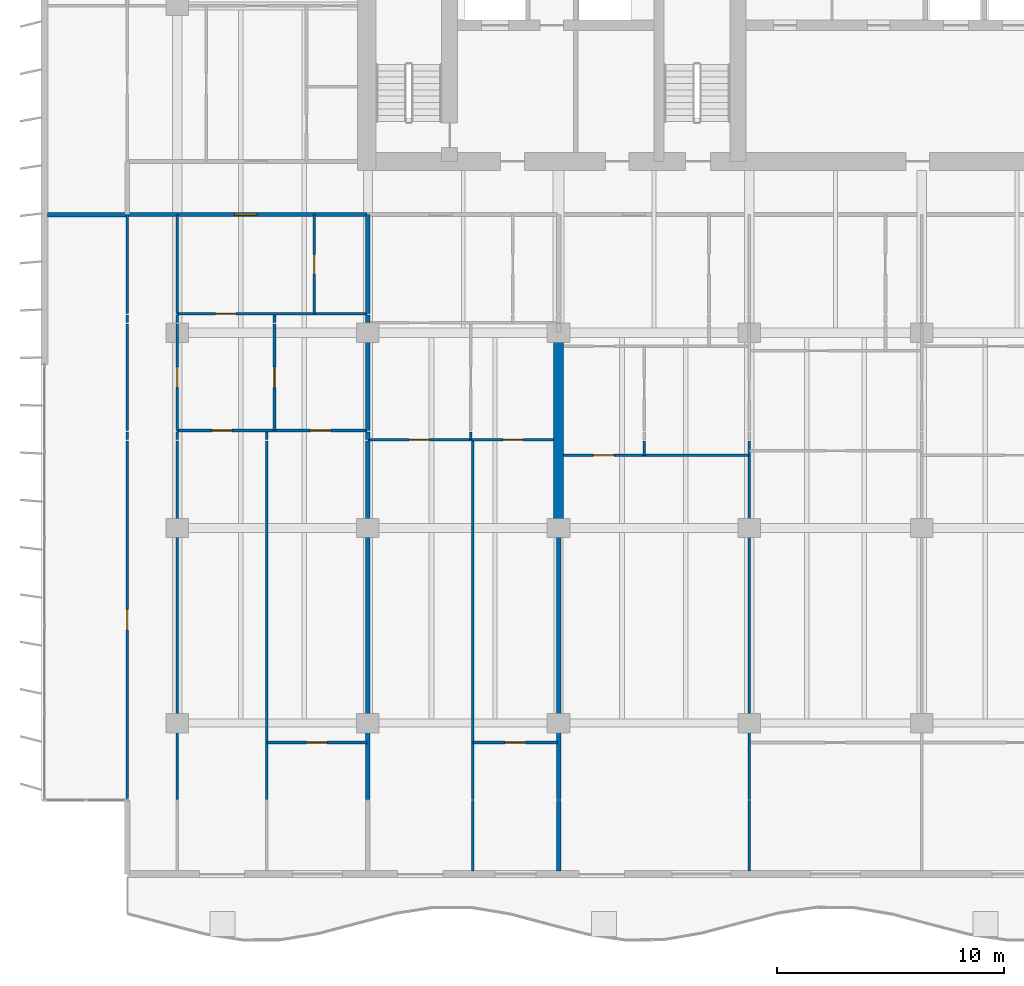
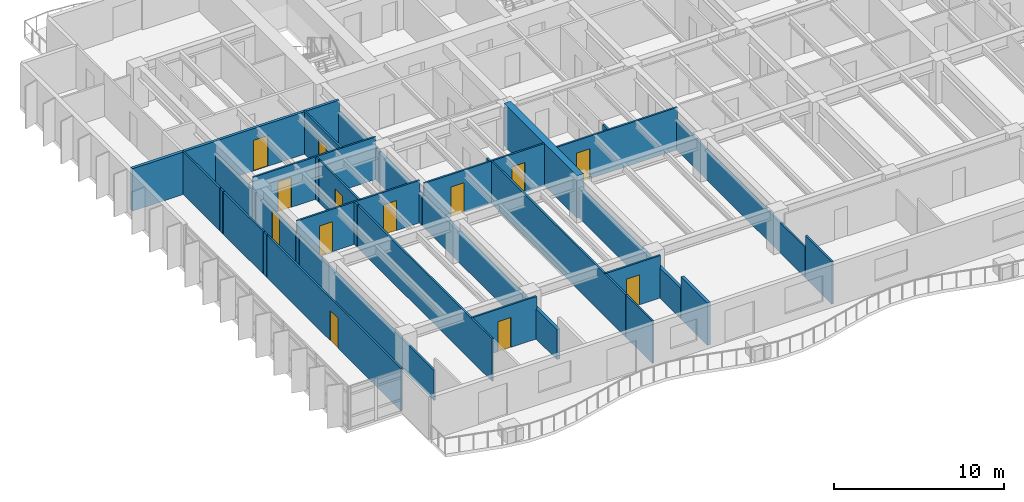
# One storey, part 6 of 17: 37 walls, 13 doors, 13 openings.
"""IFC4 building model written with IfcOpenShell, lengths in metres."""

from ifc_helpers import new_model, si_unit, direction, frame, frame_2d, origin, place, context, subcontext, project, spatial, rectangle, extrude, material, layer, layer_set, type_object, element, fill, save


model = new_model("IFC4")

# Units and contexts
model_context = context("Model", 3, precision=1e-05, world=origin(), true_north=direction((0.0, 1.0)))
body_context = subcontext(model_context, "Body", "Model", "MODEL_VIEW")
ifc_project = project(units=[si_unit("LENGTHUNIT", "METRE"), si_unit("AREAUNIT", "SQUARE_METRE"), si_unit("VOLUMEUNIT", "CUBIC_METRE"), si_unit("PLANEANGLEUNIT", "RADIAN"), si_unit("MASSUNIT", "GRAM", prefix="KILO")], contexts=[model_context])

# Site, building, storey
site_placement = place(None, origin())
site = spatial("IfcSite", under=ifc_project, at=site_placement, CompositionType="ELEMENT")
building_placement = place(site_placement, origin())
building = spatial("IfcBuilding", under=site, at=building_placement, Name="Caelmar Bay Residences", CompositionType="ELEMENT")
storey_placement = place(building_placement, frame((0.0, 0.0, 105.89990234375)))
storey = spatial("IfcBuildingStorey", under=building, at=storey_placement, Name="L28", CompositionType="ELEMENT", Elevation=105.89990234375)

# Wall
ifc_material_1 = material(Name="Concrete f'c 55 MPa (8,000 psi)", Category="concrete")
ifc_layer_1 = layer(ifc_material_1, 0.449951171875)
ifc_layer_set_1 = layer_set([ifc_layer_1], Name="Concrete f'c 55 MPa (8,000 psi)")
wall_type_1 = type_object("IfcWallType", Name="SW-XSLB-450", PredefinedType="SHEAR", material=ifc_layer_set_1)
wall_1_placement = place(storey_placement, frame((26.699951171875, 20.800048828125, 0.0), z_axis=(0.0, 0.0, 1.0), x_axis=(0.0, 1.0, 0.0)))
element("IfcWall", 1, at=wall_1_placement, inside=storey, type_object=wall_type_1, Name="L28 Transverse Cross-Slab Shear Wall W5", PredefinedType="SHEAR", context=body_context, shape_type="SweptSolid", body=[
    extrude(rectangle(XDim=8.599853515625, YDim=0.449951171875, at=frame_2d((4.2998046875, 0.0))), origin(), (0.0, 0.0, 1.0), 3.050048828125),
])

# Wall, opening, door
ifc_material_2 = material(Name="Double-stud acoustic fire-rated gypsum partition 180 mm")
ifc_layer_2 = layer(ifc_material_2, 0.179931640625)
ifc_layer_set_2 = layer_set([ifc_layer_2], Name="Double-stud acoustic fire-rated gypsum partition 180 mm")
wall_type_2 = type_object("IfcWallType", Name="W-COR-200", PredefinedType="PARTITIONING", material=ifc_layer_set_2)
wall_2_placement = place(storey_placement, frame((7.705078125, 34.60009765625, 0.0), z_axis=(0.0, 0.0, 1.0), x_axis=(1.0, 0.0, 0.0)))
wall_2 = element("IfcWall", 2, at=wall_2_placement, inside=storey, type_object=wall_type_2, Name="L28 Partition Wall H140", PredefinedType="PARTITIONING", context=body_context, shape_type="SweptSolid", body=[
    extrude(rectangle(XDim=10.544921875, YDim=0.179931640625, at=frame_2d((5.2724609375, 0.0))), origin(), (0.0, 0.0, 1.0), 3.050048828125),
])
opening_1_placement = place(wall_2_placement, frame((4.714111328125, 0.0, 0.0)))
opening_1 = element("IfcOpeningElement", 3, at=opening_1_placement, cuts=wall_2, Name="Opening D-L28-124", PredefinedType="OPENING", context=body_context, shape_type="SweptSolid", body=[
    extrude(rectangle(XDim=1.0, YDim=2.199951171875, at=frame_2d((0.5, 1.10009765625))), frame((0.0, 0.099853515625, 0.0), z_axis=(0.0, -1.0, 0.0), x_axis=(1.0, 0.0, 0.0)), (0.0, 0.0, 1.0), 0.199951171875),
])
ifc_material_3 = material(Name="Fire-rated steel and walnut architectural door assembly", Category="steel")
ifc_layer_3 = layer(ifc_material_3, 0.050048828125)
ifc_layer_set_3 = layer_set([ifc_layer_3], Name="Fire-rated steel and walnut architectural door assembly")
door_type_1 = type_object("IfcDoorType", Name="D-UNIT-1000", OperationType="NOTDEFINED", PredefinedType="DOOR", material=ifc_layer_set_3)
door_1_placement = place(opening_1_placement, origin())
door_1 = element("IfcDoor", 4, at=door_1_placement, inside=storey, type_object=door_type_1, Name="L28 Residence 01 Apartment Hall Door", OperationType="SINGLE_SWING_RIGHT", OverallHeight=2.199951171875, OverallWidth=1.0, PredefinedType="DOOR", context=body_context, shape_type="SweptSolid", body=[
    extrude(rectangle(XDim=1.0, YDim=2.199951171875, at=frame_2d((0.5, 1.10009765625))), frame((0.0, 0.02490234375, 0.0), z_axis=(0.0, -1.0, 0.0), x_axis=(1.0, 0.0, 0.0)), (0.0, 0.0, 1.0), 0.050048828125),
])
fill(opening_1, door_1)

ifc_material_4 = material(Name="Acoustic metal-stud gypsum partition 120 mm")
ifc_layer_4 = layer(ifc_material_4, 0.1201171875)
ifc_layer_set_4 = layer_set([ifc_layer_4], Name="Acoustic metal-stud gypsum partition 120 mm")
wall_type_3 = type_object("IfcWallType", Name="W-PRT-120", PredefinedType="PARTITIONING", material=ifc_layer_set_4)
wall_3_placement = place(storey_placement, frame((7.699951171875, 8.885009765625, 0.0), z_axis=(0.0, 0.0, 1.0), x_axis=(0.0, 1.0, 0.0)))
wall_3 = element("IfcWall", 5, at=wall_3_placement, inside=storey, type_object=wall_type_3, Name="L28 Partition Wall V001", PredefinedType="PARTITIONING", context=body_context, shape_type="SweptSolid", body=[
    extrude(rectangle(XDim=15.744873046875, YDim=0.1201171875, at=frame_2d((7.87255859375, 0.0))), origin(), (0.0, 0.0, 1.0), 3.050048828125),
])
opening_2_placement = place(wall_3_placement, frame((7.422607421875, 0.0, 0.0)))
opening_2 = element("IfcOpeningElement", 6, at=opening_2_placement, cuts=wall_3, Name="Opening D-L28-169", PredefinedType="OPENING", context=body_context, shape_type="SweptSolid", body=[
    extrude(rectangle(XDim=0.89990234375, YDim=2.14990234375, at=frame_2d((0.449951171875, 1.074951171875))), frame((0.0, 0.070068359375, 0.0), z_axis=(0.0, -1.0, 0.0), x_axis=(1.0, 0.0, 0.0)), (0.0, 0.0, 1.0), 0.14013671875),
])
ifc_material_5 = material(Name="Solid walnut timber interior door leaf and frame", Category="wood")
ifc_layer_5 = layer(ifc_material_5, 0.050048828125)
ifc_layer_set_5 = layer_set([ifc_layer_5], Name="Solid walnut timber interior door leaf and frame")
door_type_2 = type_object("IfcDoorType", Name="D-ROOM-900", OperationType="NOTDEFINED", PredefinedType="DOOR", material=ifc_layer_set_5)
door_2_placement = place(opening_2_placement, origin())
door_2 = element("IfcDoor", 7, at=door_2_placement, inside=storey, type_object=door_type_2, Name="L28 Residence 01 Penthouse West Salon Door", OperationType="SINGLE_SWING_LEFT", OverallHeight=2.14990234375, OverallWidth=0.89990234375, PredefinedType="DOOR", context=body_context, shape_type="SweptSolid", body=[
    extrude(rectangle(XDim=0.89990234375, YDim=2.14990234375, at=frame_2d((0.449951171875, 1.074951171875))), frame((0.0, 0.02490234375, 0.0), z_axis=(0.0, -1.0, 0.0), x_axis=(1.0, 0.0, 0.0)), (0.0, 0.0, 1.0), 0.050048828125),
])
fill(opening_2, door_2)

# Walls
wall_4_placement = place(storey_placement, frame((7.699951171875, 24.68994140625, 0.0), z_axis=(0.0, 0.0, 1.0), x_axis=(0.0, 1.0, 0.0)))
element("IfcWall", 8, at=wall_4_placement, inside=storey, type_object=wall_type_3, Name="L28 Partition Wall V002", PredefinedType="PARTITIONING", context=body_context, shape_type="SweptSolid", body=[
    extrude(rectangle(XDim=0.340087890625, YDim=0.1201171875, at=frame_2d((0.169921875, 0.0))), origin(), (0.0, 0.0, 1.0), 3.050048828125),
])
wall_5_placement = place(storey_placement, frame((7.699951171875, 25.090087890625, 0.0), z_axis=(0.0, 0.0, 1.0), x_axis=(0.0, 1.0, 0.0)))
element("IfcWall", 9, at=wall_5_placement, inside=storey, type_object=wall_type_3, Name="L28 Partition Wall V003", PredefinedType="PARTITIONING", context=body_context, shape_type="SweptSolid", body=[
    extrude(rectangle(XDim=4.68994140625, YDim=0.1201171875, at=frame_2d((2.344970703125, 0.0))), origin(), (0.0, 0.0, 1.0), 3.050048828125),
])
wall_6_placement = place(storey_placement, frame((7.699951171875, 29.840087890625, 0.0), z_axis=(0.0, 0.0, 1.0), x_axis=(0.0, 1.0, 0.0)))
element("IfcWall", 10, at=wall_6_placement, inside=storey, type_object=wall_type_3, Name="L28 Partition Wall V004", PredefinedType="PARTITIONING", context=body_context, shape_type="SweptSolid", body=[
    extrude(rectangle(XDim=0.33984375, YDim=0.1201171875, at=frame_2d((0.169921875, 0.0))), origin(), (0.0, 0.0, 1.0), 3.050048828125),
])
wall_7_placement = place(storey_placement, frame((7.699951171875, 30.239990234375, 0.0), z_axis=(0.0, 0.0, 1.0), x_axis=(0.0, 1.0, 0.0)))
element("IfcWall", 11, at=wall_7_placement, inside=storey, type_object=wall_type_3, Name="L28 Partition Wall V005", PredefinedType="PARTITIONING", context=body_context, shape_type="SweptSolid", body=[
    extrude(rectangle(XDim=4.360107421875, YDim=0.1201171875, at=frame_2d((2.18017578125, 0.0))), origin(), (0.0, 0.0, 1.0), 3.050048828125),
])
wall_8_placement = place(storey_placement, frame((9.89990234375, 8.840087890625, 0.0), z_axis=(0.0, 0.0, 1.0), x_axis=(0.0, 1.0, 0.0)))
element("IfcWall", 12, at=wall_8_placement, inside=storey, type_object=wall_type_3, Name="L28 Partition Wall V010", PredefinedType="PARTITIONING", context=body_context, shape_type="SweptSolid", body=[
    extrude(rectangle(XDim=15.789794921875, YDim=0.1201171875, at=frame_2d((7.89501953125, 0.0))), origin(), (0.0, 0.0, 1.0), 2.174072265625),
])
wall_9_placement = place(storey_placement, frame((9.89990234375, 24.68994140625, 0.0), z_axis=(0.0, 0.0, 1.0), x_axis=(0.0, 1.0, 0.0)))
element("IfcWall", 13, at=wall_9_placement, inside=storey, type_object=wall_type_3, Name="L28 Partition Wall V011", PredefinedType="PARTITIONING", context=body_context, shape_type="SweptSolid", body=[
    extrude(rectangle(XDim=0.340087890625, YDim=0.1201171875, at=frame_2d((0.169921875, 0.0))), origin(), (0.0, 0.0, 1.0), 2.174072265625),
])

# Wall, opening, door
wall_10_placement = place(storey_placement, frame((9.89990234375, 25.090087890625, 0.0), z_axis=(0.0, 0.0, 1.0), x_axis=(0.0, 1.0, 0.0)))
wall_10 = element("IfcWall", 14, at=wall_10_placement, inside=storey, type_object=wall_type_3, Name="L28 Partition Wall V012", PredefinedType="PARTITIONING", context=body_context, shape_type="SweptSolid", body=[
    extrude(rectangle(XDim=4.68994140625, YDim=0.1201171875, at=frame_2d((2.344970703125, 0.0))), origin(), (0.0, 0.0, 1.0), 2.174072265625),
])
opening_3_placement = place(wall_10_placement, frame((1.89501953125, 0.0, 0.0)))
opening_3 = element("IfcOpeningElement", 15, at=opening_3_placement, cuts=wall_10, Name="Opening D-L28-131", PredefinedType="OPENING", context=body_context, shape_type="SweptSolid", body=[
    extrude(rectangle(XDim=0.89990234375, YDim=2.1240234375, at=frame_2d((0.449951171875, 1.06201171875))), frame((0.0, 0.070068359375, 0.0), z_axis=(0.0, -1.0, 0.0), x_axis=(1.0, 0.0, 0.0)), (0.0, 0.0, 1.0), 0.14013671875),
])
door_3_placement = place(opening_3_placement, origin())
door_3 = element("IfcDoor", 16, at=door_3_placement, inside=storey, type_object=door_type_2, Name="L28 Residence 01 West Apartment Hall Door", OperationType="SINGLE_SWING_LEFT", OverallHeight=2.1240234375, OverallWidth=0.89990234375, PredefinedType="DOOR", context=body_context, shape_type="SweptSolid", body=[
    extrude(rectangle(XDim=0.89990234375, YDim=2.1240234375, at=frame_2d((0.449951171875, 1.06201171875))), frame((0.0, 0.02490234375, 0.0), z_axis=(0.0, -1.0, 0.0), x_axis=(1.0, 0.0, 0.0)), (0.0, 0.0, 1.0), 0.050048828125),
])
fill(opening_3, door_3)

# Walls
wall_11_placement = place(storey_placement, frame((9.89990234375, 29.840087890625, 0.0), z_axis=(0.0, 0.0, 1.0), x_axis=(0.0, 1.0, 0.0)))
element("IfcWall", 17, at=wall_11_placement, inside=storey, type_object=wall_type_3, Name="L28 Partition Wall V013", PredefinedType="PARTITIONING", context=body_context, shape_type="SweptSolid", body=[
    extrude(rectangle(XDim=0.33984375, YDim=0.1201171875, at=frame_2d((0.169921875, 0.0))), origin(), (0.0, 0.0, 1.0), 2.174072265625),
])
wall_12_placement = place(storey_placement, frame((9.89990234375, 30.239990234375, 0.0), z_axis=(0.0, 0.0, 1.0), x_axis=(0.0, 1.0, 0.0)))
element("IfcWall", 18, at=wall_12_placement, inside=storey, type_object=wall_type_3, Name="L28 Partition Wall V014", PredefinedType="PARTITIONING", context=body_context, shape_type="SweptSolid", body=[
    extrude(rectangle(XDim=4.360107421875, YDim=0.1201171875, at=frame_2d((2.18017578125, 0.0))), origin(), (0.0, 0.0, 1.0), 2.174072265625),
])
wall_13_placement = place(storey_placement, frame((13.847900390625, 8.840087890625, 0.0), z_axis=(0.0, 0.0, 1.0), x_axis=(0.0, 1.0, 0.0)))
element("IfcWall", 19, at=wall_13_placement, inside=storey, type_object=wall_type_3, Name="L28 Partition Wall V017", PredefinedType="PARTITIONING", context=body_context, shape_type="SweptSolid", body=[
    extrude(rectangle(XDim=15.789794921875, YDim=0.1201171875, at=frame_2d((7.89501953125, 0.0))), origin(), (0.0, 0.0, 1.0), 3.050048828125),
])
wall_14_placement = place(storey_placement, frame((13.847900390625, 24.68994140625, 0.0), z_axis=(0.0, 0.0, 1.0), x_axis=(0.0, 1.0, 0.0)))
element("IfcWall", 20, at=wall_14_placement, inside=storey, type_object=wall_type_3, Name="L28 Partition Wall V018", PredefinedType="PARTITIONING", context=body_context, shape_type="SweptSolid", body=[
    extrude(rectangle(XDim=0.340087890625, YDim=0.1201171875, at=frame_2d((0.169921875, 0.0))), origin(), (0.0, 0.0, 1.0), 3.050048828125),
])

# Wall, opening, door
wall_15_placement = place(storey_placement, frame((14.18603515625, 25.090087890625, 0.0), z_axis=(0.0, 0.0, 1.0), x_axis=(0.0, 1.0, 0.0)))
wall_15 = element("IfcWall", 21, at=wall_15_placement, inside=storey, type_object=wall_type_3, Name="L28 Partition Wall V019", PredefinedType="PARTITIONING", context=body_context, shape_type="SweptSolid", body=[
    extrude(rectangle(XDim=4.68994140625, YDim=0.1201171875, at=frame_2d((2.344970703125, 0.0))), origin(), (0.0, 0.0, 1.0), 3.050048828125),
])
opening_4_placement = place(wall_15_placement, frame((1.89501953125, 0.0, 0.0)))
opening_4 = element("IfcOpeningElement", 22, at=opening_4_placement, cuts=wall_15, Name="Opening D-L28-127", PredefinedType="OPENING", context=body_context, shape_type="SweptSolid", body=[
    extrude(rectangle(XDim=0.89990234375, YDim=2.14990234375, at=frame_2d((0.449951171875, 1.074951171875))), frame((0.0, 0.070068359375, 0.0), z_axis=(0.0, -1.0, 0.0), x_axis=(1.0, 0.0, 0.0)), (0.0, 0.0, 1.0), 0.14013671875),
])
door_4_placement = place(opening_4_placement, origin())
door_4 = element("IfcDoor", 23, at=door_4_placement, inside=storey, type_object=door_type_2, Name="L28 Residence 01 Formal Dining Room Door", OperationType="SINGLE_SWING_LEFT", OverallHeight=2.14990234375, OverallWidth=0.89990234375, PredefinedType="DOOR", context=body_context, shape_type="SweptSolid", body=[
    extrude(rectangle(XDim=0.89990234375, YDim=2.14990234375, at=frame_2d((0.449951171875, 1.074951171875))), frame((0.0, 0.02490234375, 0.0), z_axis=(0.0, -1.0, 0.0), x_axis=(1.0, 0.0, 0.0)), (0.0, 0.0, 1.0), 0.050048828125),
])
fill(opening_4, door_4)

# Wall
wall_16_placement = place(storey_placement, frame((14.18603515625, 29.840087890625, 0.0), z_axis=(0.0, 0.0, 1.0), x_axis=(0.0, 1.0, 0.0)))
element("IfcWall", 24, at=wall_16_placement, inside=storey, type_object=wall_type_3, Name="L28 Partition Wall V020", PredefinedType="PARTITIONING", context=body_context, shape_type="SweptSolid", body=[
    extrude(rectangle(XDim=0.33984375, YDim=0.1201171875, at=frame_2d((0.169921875, 0.0))), origin(), (0.0, 0.0, 1.0), 3.050048828125),
])

# Wall, opening, door
wall_17_placement = place(storey_placement, frame((15.93798828125, 30.239990234375, 0.0), z_axis=(0.0, 0.0, 1.0), x_axis=(0.0, 1.0, 0.0)))
wall_17 = element("IfcWall", 25, at=wall_17_placement, inside=storey, type_object=wall_type_3, Name="L28 Partition Wall V022", PredefinedType="PARTITIONING", context=body_context, shape_type="SweptSolid", body=[
    extrude(rectangle(XDim=4.360107421875, YDim=0.1201171875, at=frame_2d((2.18017578125, 0.0))), origin(), (0.0, 0.0, 1.0), 3.050048828125),
])
opening_5_placement = place(wall_17_placement, frame((1.7548828125, 0.0, 0.0)))
opening_5 = element("IfcOpeningElement", 26, at=opening_5_placement, cuts=wall_17, Name="Opening D-L28-125", PredefinedType="OPENING", context=body_context, shape_type="SweptSolid", body=[
    extrude(rectangle(XDim=0.85009765625, YDim=2.10009765625, at=frame_2d((0.425048828125, 1.050048828125))), frame((0.0, 0.070068359375, 0.0), z_axis=(0.0, -1.0, 0.0), x_axis=(1.0, 0.0, 0.0)), (0.0, 0.0, 1.0), 0.14013671875),
])
ifc_layer_6 = layer(ifc_material_5, 0.050048828125)
ifc_layer_set_6 = layer_set([ifc_layer_6], Name="Solid walnut timber interior door leaf and frame")
door_type_3 = type_object("IfcDoorType", Name="D-BATH-850", OperationType="NOTDEFINED", PredefinedType="DOOR", material=ifc_layer_set_6)
door_5_placement = place(opening_5_placement, origin())
door_5 = element("IfcDoor", 27, at=door_5_placement, inside=storey, type_object=door_type_3, Name="L28 Residence 01 Bathroom Door", OperationType="SINGLE_SWING_LEFT", OverallHeight=2.10009765625, OverallWidth=0.85009765625, PredefinedType="DOOR", context=body_context, shape_type="SweptSolid", body=[
    extrude(rectangle(XDim=0.85009765625, YDim=2.10009765625, at=frame_2d((0.425048828125, 1.050048828125))), frame((0.0, 0.02490234375, 0.0), z_axis=(0.0, -1.0, 0.0), x_axis=(1.0, 0.0, 0.0)), (0.0, 0.0, 1.0), 0.050048828125),
])
fill(opening_5, door_5)

# Walls
wall_18_placement = place(storey_placement, frame((22.8359375, 24.68994140625, 0.0), z_axis=(0.0, 0.0, 1.0), x_axis=(0.0, 1.0, 0.0)))
element("IfcWall", 28, at=wall_18_placement, inside=storey, type_object=wall_type_3, Name="L28 Partition Wall V030", PredefinedType="PARTITIONING", context=body_context, shape_type="SweptSolid", body=[
    extrude(rectangle(XDim=0.340087890625, YDim=0.1201171875, at=frame_2d((0.169921875, 0.0))), origin(), (0.0, 0.0, 1.0), 3.050048828125),
])
wall_19_placement = place(storey_placement, frame((22.919921875, 5.695068359375, 0.0), z_axis=(0.0, 0.0, 1.0), x_axis=(0.0, 1.0, 0.0)))
element("IfcWall", 29, at=wall_19_placement, inside=storey, type_object=wall_type_3, Name="L28 Partition Wall V032", PredefinedType="PARTITIONING", context=body_context, shape_type="SweptSolid", body=[
    extrude(rectangle(XDim=3.10498046875, YDim=0.1201171875, at=frame_2d((1.552490234375, 0.0))), origin(), (0.0, 0.0, 1.0), 3.050048828125),
])
wall_20_placement = place(storey_placement, frame((22.919921875, 8.840087890625, 0.0), z_axis=(0.0, 0.0, 1.0), x_axis=(0.0, 1.0, 0.0)))
element("IfcWall", 30, at=wall_20_placement, inside=storey, type_object=wall_type_3, Name="L28 Partition Wall V033", PredefinedType="PARTITIONING", context=body_context, shape_type="SweptSolid", body=[
    extrude(rectangle(XDim=15.789794921875, YDim=0.1201171875, at=frame_2d((7.89501953125, 0.0))), origin(), (0.0, 0.0, 1.0), 3.050048828125),
])
wall_21_placement = place(storey_placement, frame((30.47998046875, 24.0, 0.0), z_axis=(0.0, 0.0, 1.0), x_axis=(0.0, 1.0, 0.0)))
element("IfcWall", 31, at=wall_21_placement, inside=storey, type_object=wall_type_3, Name="L28 Partition Wall V045", PredefinedType="PARTITIONING", context=body_context, shape_type="SweptSolid", body=[
    extrude(rectangle(XDim=0.6298828125, YDim=0.1201171875, at=frame_2d((0.31494140625, 0.0))), origin(), (0.0, 0.0, 1.0), 3.050048828125),
])
wall_22_placement = place(storey_placement, frame((35.10009765625, 5.695068359375, 0.0), z_axis=(0.0, 0.0, 1.0), x_axis=(0.0, 1.0, 0.0)))
element("IfcWall", 32, at=wall_22_placement, inside=storey, type_object=wall_type_3, Name="L28 Partition Wall V052", PredefinedType="PARTITIONING", context=body_context, shape_type="SweptSolid", body=[
    extrude(rectangle(XDim=3.10498046875, YDim=0.1201171875, at=frame_2d((1.552490234375, 0.0))), origin(), (0.0, 0.0, 1.0), 3.050048828125),
])
wall_23_placement = place(storey_placement, frame((35.10009765625, 8.840087890625, 0.0), z_axis=(0.0, 0.0, 1.0), x_axis=(0.0, 1.0, 0.0)))
element("IfcWall", 33, at=wall_23_placement, inside=storey, type_object=wall_type_3, Name="L28 Partition Wall V053", PredefinedType="PARTITIONING", context=body_context, shape_type="SweptSolid", body=[
    extrude(rectangle(XDim=15.789794921875, YDim=0.1201171875, at=frame_2d((7.89501953125, 0.0))), origin(), (0.0, 0.0, 1.0), 2.174072265625),
])

# Wall, opening, door
wall_24_placement = place(storey_placement, frame((13.847900390625, 11.35009765625, 0.0), z_axis=(0.0, 0.0, 1.0), x_axis=(1.0, 0.0, 0.0)))
wall_24 = element("IfcWall", 34, at=wall_24_placement, inside=storey, type_object=wall_type_3, Name="L28 Partition Wall H120", PredefinedType="PARTITIONING", context=body_context, shape_type="SweptSolid", body=[
    extrude(rectangle(XDim=4.402099609375, YDim=0.1201171875, at=frame_2d((2.201171875, 0.0))), origin(), (0.0, 0.0, 1.0), 3.050048828125),
])
opening_6_placement = place(wall_24_placement, frame((1.7509765625, 0.0, 0.0)))
opening_6 = element("IfcOpeningElement", 35, at=opening_6_placement, cuts=wall_24, Name="Opening D-L28-130", PredefinedType="OPENING", context=body_context, shape_type="SweptSolid", body=[
    extrude(rectangle(XDim=0.89990234375, YDim=2.14990234375, at=frame_2d((0.449951171875, 1.074951171875))), frame((0.0, 0.070068359375, 0.0), z_axis=(0.0, -1.0, 0.0), x_axis=(1.0, 0.0, 0.0)), (0.0, 0.0, 1.0), 0.14013671875),
])
door_6_placement = place(opening_6_placement, origin())
door_6 = element("IfcDoor", 36, at=door_6_placement, inside=storey, type_object=door_type_2, Name="L28 Residence 01 Primary Bedroom Door", OperationType="SINGLE_SWING_RIGHT", OverallHeight=2.14990234375, OverallWidth=0.89990234375, PredefinedType="DOOR", context=body_context, shape_type="SweptSolid", body=[
    extrude(rectangle(XDim=0.89990234375, YDim=2.14990234375, at=frame_2d((0.449951171875, 1.074951171875))), frame((0.0, 0.02490234375, 0.0), z_axis=(0.0, -1.0, 0.0), x_axis=(1.0, 0.0, 0.0)), (0.0, 0.0, 1.0), 0.050048828125),
])
fill(opening_6, door_6)

wall_25_placement = place(storey_placement, frame((22.919921875, 11.35009765625, 0.0), z_axis=(0.0, 0.0, 1.0), x_axis=(1.0, 0.0, 0.0)))
wall_25 = element("IfcWall", 37, at=wall_25_placement, inside=storey, type_object=wall_type_3, Name="L28 Partition Wall H121", PredefinedType="PARTITIONING", context=body_context, shape_type="SweptSolid", body=[
    extrude(rectangle(XDim=3.72998046875, YDim=0.1201171875, at=frame_2d((1.864990234375, 0.0))), origin(), (0.0, 0.0, 1.0), 3.050048828125),
])
opening_7_placement = place(wall_25_placement, frame((1.4150390625, 0.0, 0.0)))
opening_7 = element("IfcOpeningElement", 38, at=opening_7_placement, cuts=wall_25, Name="Opening D-L28-138", PredefinedType="OPENING", context=body_context, shape_type="SweptSolid", body=[
    extrude(rectangle(XDim=0.89990234375, YDim=2.14990234375, at=frame_2d((0.449951171875, 1.074951171875))), frame((0.0, 0.070068359375, 0.0), z_axis=(0.0, -1.0, 0.0), x_axis=(1.0, 0.0, 0.0)), (0.0, 0.0, 1.0), 0.14013671875),
])
door_7_placement = place(opening_7_placement, origin())
door_7 = element("IfcDoor", 39, at=door_7_placement, inside=storey, type_object=door_type_2, Name="L28 Residence 02 Primary Bedroom Door", OperationType="SINGLE_SWING_RIGHT", OverallHeight=2.14990234375, OverallWidth=0.89990234375, PredefinedType="DOOR", context=body_context, shape_type="SweptSolid", body=[
    extrude(rectangle(XDim=0.89990234375, YDim=2.14990234375, at=frame_2d((0.449951171875, 1.074951171875))), frame((0.0, 0.02490234375, 0.0), z_axis=(0.0, -1.0, 0.0), x_axis=(1.0, 0.0, 0.0)), (0.0, 0.0, 1.0), 0.050048828125),
])
fill(opening_7, door_7)

wall_26_placement = place(storey_placement, frame((26.919921875, 24.0, 0.0), z_axis=(0.0, 0.0, 1.0), x_axis=(1.0, 0.0, 0.0)))
wall_26 = element("IfcWall", 40, at=wall_26_placement, inside=storey, type_object=wall_type_3, Name="L28 Partition Wall H125", PredefinedType="PARTITIONING", context=body_context, shape_type="SweptSolid", body=[
    extrude(rectangle(XDim=8.18017578125, YDim=0.1201171875, at=frame_2d((4.090087890625, 0.0))), origin(), (0.0, 0.0, 1.0), 3.050048828125),
])
opening_8_placement = place(wall_26_placement, frame((1.330078125, 0.0, 0.0)))
opening_8 = element("IfcOpeningElement", 41, at=opening_8_placement, cuts=wall_26, Name="Opening D-L28-143", PredefinedType="OPENING", context=body_context, shape_type="SweptSolid", body=[
    extrude(rectangle(XDim=0.89990234375, YDim=2.14990234375, at=frame_2d((0.449951171875, 1.074951171875))), frame((0.0, 0.070068359375, 0.0), z_axis=(0.0, -1.0, 0.0), x_axis=(1.0, 0.0, 0.0)), (0.0, 0.0, 1.0), 0.14013671875),
])
door_8_placement = place(opening_8_placement, origin())
door_8 = element("IfcDoor", 42, at=door_8_placement, inside=storey, type_object=door_type_2, Name="L28 Residence 03 Penthouse Living Salon Door", OperationType="SINGLE_SWING_LEFT", OverallHeight=2.14990234375, OverallWidth=0.89990234375, PredefinedType="DOOR", context=body_context, shape_type="SweptSolid", body=[
    extrude(rectangle(XDim=0.89990234375, YDim=2.14990234375, at=frame_2d((0.449951171875, 1.074951171875))), frame((0.0, 0.02490234375, 0.0), z_axis=(0.0, -1.0, 0.0), x_axis=(1.0, 0.0, 0.0)), (0.0, 0.0, 1.0), 0.050048828125),
])
fill(opening_8, door_8)

# Wall, openings, doors
wall_27_placement = place(storey_placement, frame((18.300048828125, 24.68994140625, 0.0), z_axis=(0.0, 0.0, 1.0), x_axis=(1.0, 0.0, 0.0)))
wall_27 = element("IfcWall", 43, at=wall_27_placement, inside=storey, type_object=wall_type_3, Name="L28 Partition Wall H129", PredefinedType="PARTITIONING", context=body_context, shape_type="SweptSolid", body=[
    extrude(rectangle(XDim=8.179931640625, YDim=0.1201171875, at=frame_2d((4.08984375, 0.0))), origin(), (0.0, 0.0, 1.0), 3.050048828125),
])
opening_9_placement = place(wall_27_placement, frame((1.818115234375, 0.0, 0.0)))
opening_9 = element("IfcOpeningElement", 44, at=opening_9_placement, cuts=wall_27, Name="Opening D-L28-136", PredefinedType="OPENING", context=body_context, shape_type="SweptSolid", body=[
    extrude(rectangle(XDim=0.89990234375, YDim=2.14990234375, at=frame_2d((0.449951171875, 1.074951171875))), frame((0.0, 0.070068359375, 0.0), z_axis=(0.0, -1.0, 0.0), x_axis=(1.0, 0.0, 0.0)), (0.0, 0.0, 1.0), 0.14013671875),
])
opening_10_placement = place(wall_27_placement, frame((5.949951171875, 0.0, 0.0)))
opening_10 = element("IfcOpeningElement", 45, at=opening_10_placement, cuts=wall_27, Name="Opening D-L28-137", PredefinedType="OPENING", context=body_context, shape_type="SweptSolid", body=[
    extrude(rectangle(XDim=0.89990234375, YDim=2.14990234375, at=frame_2d((0.449951171875, 1.074951171875))), frame((0.0, 0.070068359375, 0.0), z_axis=(0.0, -1.0, 0.0), x_axis=(1.0, 0.0, 0.0)), (0.0, 0.0, 1.0), 0.14013671875),
])
door_9_placement = place(opening_9_placement, origin())
door_9 = element("IfcDoor", 46, at=door_9_placement, inside=storey, type_object=door_type_2, Name="L28 Residence 02 Penthouse Living Salon Door", OperationType="SINGLE_SWING_RIGHT", OverallHeight=2.14990234375, OverallWidth=0.89990234375, PredefinedType="DOOR", context=body_context, shape_type="SweptSolid", body=[
    extrude(rectangle(XDim=0.89990234375, YDim=2.14990234375, at=frame_2d((0.449951171875, 1.074951171875))), frame((0.0, 0.02490234375, 0.0), z_axis=(0.0, -1.0, 0.0), x_axis=(1.0, 0.0, 0.0)), (0.0, 0.0, 1.0), 0.050048828125),
])
fill(opening_9, door_9)
door_10_placement = place(opening_10_placement, origin())
door_10 = element("IfcDoor", 47, at=door_10_placement, inside=storey, type_object=door_type_2, Name="L28 Residence 02 Penthouse Sitting Room Door", OperationType="SINGLE_SWING_LEFT", OverallHeight=2.14990234375, OverallWidth=0.89990234375, PredefinedType="DOOR", context=body_context, shape_type="SweptSolid", body=[
    extrude(rectangle(XDim=0.89990234375, YDim=2.14990234375, at=frame_2d((0.449951171875, 1.074951171875))), frame((0.0, 0.02490234375, 0.0), z_axis=(0.0, -1.0, 0.0), x_axis=(1.0, 0.0, 0.0)), (0.0, 0.0, 1.0), 0.050048828125),
])
fill(opening_10, door_10)

wall_28_placement = place(storey_placement, frame((9.89990234375, 25.090087890625, 0.0), z_axis=(0.0, 0.0, 1.0), x_axis=(1.0, 0.0, 0.0)))
wall_28 = element("IfcWall", 48, at=wall_28_placement, inside=storey, type_object=wall_type_3, Name="L28 Partition Wall H131", PredefinedType="PARTITIONING", context=body_context, shape_type="SweptSolid", body=[
    extrude(rectangle(XDim=8.35009765625, YDim=0.1201171875, at=frame_2d((4.175048828125, 0.0))), origin(), (0.0, 0.0, 1.0), 3.050048828125),
])
opening_11_placement = place(wall_28_placement, frame((1.52392578125, 0.0, 0.0)))
opening_11 = element("IfcOpeningElement", 49, at=opening_11_placement, cuts=wall_28, Name="Opening D-L28-128", PredefinedType="OPENING", context=body_context, shape_type="SweptSolid", body=[
    extrude(rectangle(XDim=0.89990234375, YDim=2.14990234375, at=frame_2d((0.449951171875, 1.074951171875))), frame((0.0, 0.070068359375, 0.0), z_axis=(0.0, -1.0, 0.0), x_axis=(1.0, 0.0, 0.0)), (0.0, 0.0, 1.0), 0.14013671875),
])
opening_12_placement = place(wall_28_placement, frame((5.867919921875, 0.0, 0.0)))
opening_12 = element("IfcOpeningElement", 50, at=opening_12_placement, cuts=wall_28, Name="Opening D-L28-129", PredefinedType="OPENING", context=body_context, shape_type="SweptSolid", body=[
    extrude(rectangle(XDim=0.89990234375, YDim=2.14990234375, at=frame_2d((0.449951171875, 1.074951171875))), frame((0.0, 0.070068359375, 0.0), z_axis=(0.0, -1.0, 0.0), x_axis=(1.0, 0.0, 0.0)), (0.0, 0.0, 1.0), 0.14013671875),
])
door_11_placement = place(opening_11_placement, origin())
door_11 = element("IfcDoor", 51, at=door_11_placement, inside=storey, type_object=door_type_2, Name="L28 Residence 01 Penthouse Living Salon Door", OperationType="SINGLE_SWING_RIGHT", OverallHeight=2.14990234375, OverallWidth=0.89990234375, PredefinedType="DOOR", context=body_context, shape_type="SweptSolid", body=[
    extrude(rectangle(XDim=0.89990234375, YDim=2.14990234375, at=frame_2d((0.449951171875, 1.074951171875))), frame((0.0, 0.02490234375, 0.0), z_axis=(0.0, -1.0, 0.0), x_axis=(1.0, 0.0, 0.0)), (0.0, 0.0, 1.0), 0.050048828125),
])
fill(opening_11, door_11)
door_12_placement = place(opening_12_placement, origin())
door_12 = element("IfcDoor", 52, at=door_12_placement, inside=storey, type_object=door_type_2, Name="L28 Residence 01 Penthouse Sitting Room Door", OperationType="SINGLE_SWING_LEFT", OverallHeight=2.14990234375, OverallWidth=0.89990234375, PredefinedType="DOOR", context=body_context, shape_type="SweptSolid", body=[
    extrude(rectangle(XDim=0.89990234375, YDim=2.14990234375, at=frame_2d((0.449951171875, 1.074951171875))), frame((0.0, 0.02490234375, 0.0), z_axis=(0.0, -1.0, 0.0), x_axis=(1.0, 0.0, 0.0)), (0.0, 0.0, 1.0), 0.050048828125),
])
fill(opening_12, door_12)

# Wall, opening, door
wall_29_placement = place(storey_placement, frame((9.89990234375, 30.239990234375, 0.0), z_axis=(0.0, 0.0, 1.0), x_axis=(1.0, 0.0, 0.0)))
wall_29 = element("IfcWall", 53, at=wall_29_placement, inside=storey, type_object=wall_type_3, Name="L28 Partition Wall H138", PredefinedType="PARTITIONING", context=body_context, shape_type="SweptSolid", body=[
    extrude(rectangle(XDim=8.35009765625, YDim=0.1201171875, at=frame_2d((4.175048828125, 0.0))), origin(), (0.0, 0.0, 1.0), 3.050048828125),
])
opening_13_placement = place(wall_29_placement, frame((1.693115234375, 0.0, 0.0)))
opening_13 = element("IfcOpeningElement", 54, at=opening_13_placement, cuts=wall_29, Name="Opening D-L28-126", PredefinedType="OPENING", context=body_context, shape_type="SweptSolid", body=[
    extrude(rectangle(XDim=0.89990234375, YDim=2.14990234375, at=frame_2d((0.449951171875, 1.074951171875))), frame((0.0, 0.070068359375, 0.0), z_axis=(0.0, -1.0, 0.0), x_axis=(1.0, 0.0, 0.0)), (0.0, 0.0, 1.0), 0.14013671875),
])
door_13_placement = place(opening_13_placement, origin())
door_13 = element("IfcDoor", 55, at=door_13_placement, inside=storey, type_object=door_type_2, Name="L28 Residence 01 Kitchen Door", OperationType="SINGLE_SWING_RIGHT", OverallHeight=2.14990234375, OverallWidth=0.89990234375, PredefinedType="DOOR", context=body_context, shape_type="SweptSolid", body=[
    extrude(rectangle(XDim=0.89990234375, YDim=2.14990234375, at=frame_2d((0.449951171875, 1.074951171875))), frame((0.0, 0.02490234375, 0.0), z_axis=(0.0, -1.0, 0.0), x_axis=(1.0, 0.0, 0.0)), (0.0, 0.0, 1.0), 0.050048828125),
])
fill(opening_13, door_13)

# Walls
ifc_material_6 = material(Name="Acoustic twin-stud fire-rated inter-tenancy partition 200 mm")
ifc_layer_7 = layer(ifc_material_6, 0.199951171875)
ifc_layer_set_7 = layer_set([ifc_layer_7], Name="Acoustic twin-stud fire-rated inter-tenancy partition 200 mm")
wall_type_4 = type_object("IfcWallType", Name="W-PTY-200", PredefinedType="PARTITIONING", material=ifc_layer_set_7)
wall_30_placement = place(storey_placement, frame((18.300048828125, 8.840087890625, 0.0), z_axis=(0.0, 0.0, 1.0), x_axis=(0.0, 1.0, 0.0)))
element("IfcWall", 56, at=wall_30_placement, inside=storey, type_object=wall_type_4, Name="L28 Partition Wall V024", PredefinedType="PARTITIONING", context=body_context, shape_type="SweptSolid", body=[
    extrude(rectangle(XDim=15.789794921875, YDim=0.199951171875, at=frame_2d((7.89501953125, 0.0))), origin(), (0.0, 0.0, 1.0), 2.174072265625),
])
wall_31_placement = place(storey_placement, frame((18.300048828125, 24.68994140625, 0.0), z_axis=(0.0, 0.0, 1.0), x_axis=(0.0, 1.0, 0.0)))
element("IfcWall", 57, at=wall_31_placement, inside=storey, type_object=wall_type_4, Name="L28 Partition Wall V025", PredefinedType="PARTITIONING", context=body_context, shape_type="SweptSolid", body=[
    extrude(rectangle(XDim=0.340087890625, YDim=0.199951171875, at=frame_2d((0.169921875, 0.0))), origin(), (0.0, 0.0, 1.0), 2.174072265625),
])
wall_32_placement = place(storey_placement, frame((18.300048828125, 25.090087890625, 0.0), z_axis=(0.0, 0.0, 1.0), x_axis=(0.0, 1.0, 0.0)))
element("IfcWall", 58, at=wall_32_placement, inside=storey, type_object=wall_type_4, Name="L28 Partition Wall V026", PredefinedType="PARTITIONING", context=body_context, shape_type="SweptSolid", body=[
    extrude(rectangle(XDim=4.68994140625, YDim=0.199951171875, at=frame_2d((2.344970703125, 0.0))), origin(), (0.0, 0.0, 1.0), 2.174072265625),
])
wall_33_placement = place(storey_placement, frame((18.300048828125, 29.840087890625, 0.0), z_axis=(0.0, 0.0, 1.0), x_axis=(0.0, 1.0, 0.0)))
element("IfcWall", 59, at=wall_33_placement, inside=storey, type_object=wall_type_4, Name="L28 Partition Wall V027", PredefinedType="PARTITIONING", context=body_context, shape_type="SweptSolid", body=[
    extrude(rectangle(XDim=0.33984375, YDim=0.199951171875, at=frame_2d((0.169921875, 0.0))), origin(), (0.0, 0.0, 1.0), 2.174072265625),
])
wall_34_placement = place(storey_placement, frame((18.300048828125, 30.239990234375, 0.0), z_axis=(0.0, 0.0, 1.0), x_axis=(0.0, 1.0, 0.0)))
element("IfcWall", 60, at=wall_34_placement, inside=storey, type_object=wall_type_4, Name="L28 Partition Wall V028", PredefinedType="PARTITIONING", context=body_context, shape_type="SweptSolid", body=[
    extrude(rectangle(XDim=4.360107421875, YDim=0.199951171875, at=frame_2d((2.18017578125, 0.0))), origin(), (0.0, 0.0, 1.0), 2.174072265625),
])
wall_35_placement = place(storey_placement, frame((26.699951171875, 5.695068359375, 0.0), z_axis=(0.0, 0.0, 1.0), x_axis=(0.0, 1.0, 0.0)))
element("IfcWall", 61, at=wall_35_placement, inside=storey, type_object=wall_type_4, Name="L28 Partition Wall V038", PredefinedType="PARTITIONING", context=body_context, shape_type="SweptSolid", body=[
    extrude(rectangle(XDim=3.10498046875, YDim=0.199951171875, at=frame_2d((1.552490234375, 0.0))), origin(), (0.0, 0.0, 1.0), 3.050048828125),
])
wall_36_placement = place(storey_placement, frame((26.699951171875, 8.840087890625, 0.0), z_axis=(0.0, 0.0, 1.0), x_axis=(0.0, 1.0, 0.0)))
element("IfcWall", 62, at=wall_36_placement, inside=storey, type_object=wall_type_4, Name="L28 Partition Wall V039", PredefinedType="PARTITIONING", context=body_context, shape_type="SweptSolid", body=[
    extrude(rectangle(XDim=11.954833984375, YDim=0.199951171875, at=frame_2d((5.9775390625, 0.0))), origin(), (0.0, 0.0, 1.0), 2.174072265625),
])
wall_37_placement = place(storey_placement, frame((4.195068359375, 34.60009765625, 0.0), z_axis=(0.0, 0.0, 1.0), x_axis=(1.0, 0.0, 0.0)))
element("IfcWall", 63, at=wall_37_placement, inside=storey, type_object=wall_type_4, Name="L28 Partition Wall H139", PredefinedType="PARTITIONING", context=body_context, shape_type="SweptSolid", body=[
    extrude(rectangle(XDim=3.5048828125, YDim=0.199951171875, at=frame_2d((1.75244140625, 0.0))), origin(), (0.0, 0.0, 1.0), 3.050048828125),
])

save(model, "model.ifc")
